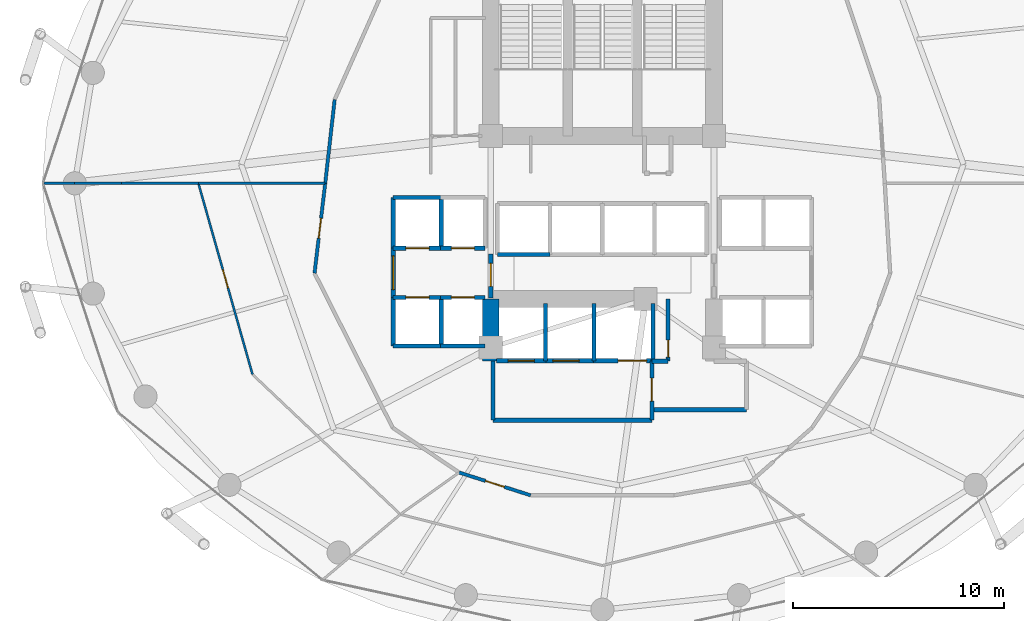
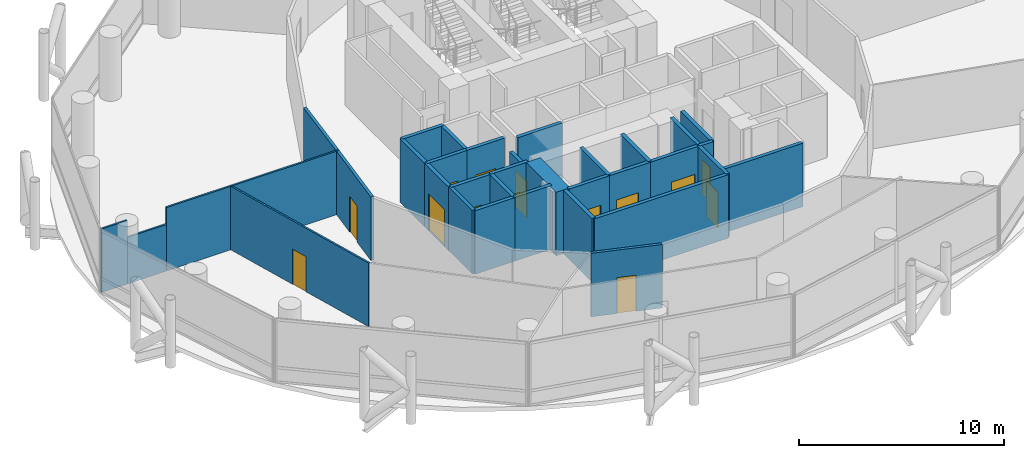
# One storey, part 21 of 24: 35 walls, 14 doors, 14 openings.
"""IFC4 building model written with IfcOpenShell, lengths in metres."""

from ifc_helpers import new_model, si_unit, direction, frame, frame_2d, origin, place, context, subcontext, project, spatial, rectangle, extrude, material, layer, layer_set, type_object, element, fill, save


model = new_model("IFC4")

# Units and contexts
model_context = context("Model", 3, precision=1e-05, world=origin(), true_north=direction((0.0, 1.0)))
body_context = subcontext(model_context, "Body", "Model", "MODEL_VIEW")
ifc_project = project(units=[si_unit("LENGTHUNIT", "METRE"), si_unit("AREAUNIT", "SQUARE_METRE"), si_unit("VOLUMEUNIT", "CUBIC_METRE"), si_unit("PLANEANGLEUNIT", "RADIAN"), si_unit("MASSUNIT", "GRAM", prefix="KILO")], contexts=[model_context])

# Site, building, storey
site_placement = place(None, origin())
site = spatial("IfcSite", under=ifc_project, at=site_placement, CompositionType="ELEMENT")
building_placement = place(site_placement, origin())
building = spatial("IfcBuilding", under=site, at=building_placement, Name="Nuhasar Tower", CompositionType="ELEMENT")
storey_placement = place(building_placement, frame((0.0, 0.0, 33.14990234375)))
storey = spatial("IfcBuildingStorey", under=building, at=storey_placement, Name="L07", CompositionType="ELEMENT", Elevation=33.14990234375)

# Walls
ifc_material_1 = material(Name="Concrete C80/95", Category="concrete")
ifc_layer_1 = layer(ifc_material_1, 0.800048828125)
ifc_layer_set_1 = layer_set([ifc_layer_1], Name="Concrete C80/95")
wall_type_1 = type_object("IfcWallType", Name="WL-CORE-800", PredefinedType="SHEAR", material=ifc_layer_set_1)
wall_1_placement = place(storey_placement, frame((33.699951171875, 18.35009765625, 0.0), z_axis=(0.0, 0.0, 1.0), x_axis=(0.0, 1.0, 0.0)))
element("IfcWall", 1, at=wall_1_placement, inside=storey, type_object=wall_type_1, Name="L07 Core Shear Wall CW-SW CW-800", PredefinedType="SHEAR", context=body_context, shape_type="SweptSolid", body=[
    extrude(rectangle(XDim=2.949951171875, YDim=0.800048828125, at=frame_2d((1.47509765625, 0.0))), origin(), (0.0, 0.0, 1.0), 3.7900390625),
])
ifc_material_2 = material(Name="Gypsum Board", Category="gypsum")
ifc_layer_2 = layer(ifc_material_2, 0.159912109375)
ifc_layer_set_2 = layer_set([ifc_layer_2], Name="Gypsum Board")
wall_type_2 = type_object("IfcWallType", Name="WL-CORR-160", PredefinedType="PARTITIONING", material=ifc_layer_set_2)
wall_2_placement = place(storey_placement, frame((26.2880859375, 30.77001953125, 0.0), z_axis=(0.0, 0.0, 1.0), x_axis=(-0.112134962735, -0.993692985852, 0.0)))
element("IfcWall", 2, at=wall_2_placement, inside=storey, type_object=wall_type_2, Name="L07 Interior Partition CORR-22", PredefinedType="PARTITIONING", context=body_context, shape_type="SweptSolid", body=[
    extrude(rectangle(XDim=3.9951171875, YDim=0.159912109375, at=frame_2d((1.99755859375, 0.0))), origin(), (0.0, 0.0, 1.0), 3.7900390625),
])

# Wall, opening, door
wall_3_placement = place(storey_placement, frame((25.3330078125, 22.531982421875, 0.0), z_axis=(0.0, 0.0, 1.0), x_axis=(0.117978184462, 0.993016187175, 0.0)))
wall_3 = element("IfcWall", 3, at=wall_3_placement, inside=storey, type_object=wall_type_2, Name="L07 Interior Partition CORR-24", PredefinedType="PARTITIONING", context=body_context, shape_type="SweptSolid", body=[
    extrude(rectangle(XDim=4.298095703125, YDim=0.159912109375, at=frame_2d((2.14892578125, 0.0))), origin(), (0.0, 0.0, 1.0), 3.7900390625),
])
opening_1_placement = place(wall_3_placement, frame((1.674072265625, 0.0, 0.0)))
opening_1 = element("IfcOpeningElement", 4, at=opening_1_placement, cuts=wall_3, Name="Opening DO-01", PredefinedType="OPENING", context=body_context, shape_type="SweptSolid", body=[
    extrude(rectangle(XDim=0.949951171875, YDim=2.14990234375, at=frame_2d((0.47509765625, 1.074951171875))), frame((0.0, 0.08984375, 0.0), z_axis=(0.0, -1.0, 0.0), x_axis=(1.0, 0.0, 0.0)), (0.0, 0.0, 1.0), 0.179931640625),
])
ifc_material_3 = material(Name="Timber Oak", Category="wood")
door_type_1 = type_object("IfcDoorType", Name="DR-OFFICE-FD30-950", OperationType="NOTDEFINED", PredefinedType="DOOR", material=ifc_material_3)
door_1_placement = place(opening_1_placement, origin())
door_1 = element("IfcDoor", 5, at=door_1_placement, inside=storey, type_object=door_type_1, Name="L07 South-West Executive Partners Office Entry Door", OperationType="SINGLE_SWING_LEFT", OverallHeight=2.14990234375, OverallWidth=0.949951171875, PredefinedType="DOOR", context=body_context, shape_type="SweptSolid", body=[
    extrude(rectangle(XDim=0.949951171875, YDim=2.14990234375, at=frame_2d((0.47509765625, 1.074951171875))), frame((0.0, 0.02490234375, 0.0), z_axis=(0.0, -1.0, 0.0), x_axis=(1.0, 0.0, 0.0)), (0.0, 0.0, 1.0), 0.050048828125),
])
fill(opening_1, door_1)

wall_4_placement = place(storey_placement, frame((35.593994140625, 11.98291015625, 0.0), z_axis=(0.0, 0.0, 1.0), x_axis=(-0.952646548559, 0.304079847275, 0.0)))
wall_4 = element("IfcWall", 6, at=wall_4_placement, inside=storey, type_object=wall_type_2, Name="L07 Interior Partition CORR-32", PredefinedType="PARTITIONING", context=body_context, shape_type="SweptSolid", body=[
    extrude(rectangle(XDim=3.564697265625, YDim=0.159912109375, at=frame_2d((1.7822265625, 0.0))), origin(), (0.0, 0.0, 1.0), 3.7900390625),
])
opening_2_placement = place(wall_4_placement, frame((1.306884765625, 0.0, 0.0)))
opening_2 = element("IfcOpeningElement", 7, at=opening_2_placement, cuts=wall_4, Name="Opening DO-01", PredefinedType="OPENING", context=body_context, shape_type="SweptSolid", body=[
    extrude(rectangle(XDim=0.949951171875, YDim=2.14990234375, at=frame_2d((0.47509765625, 1.074951171875))), frame((0.0, 0.08984375, 0.0), z_axis=(0.0, -1.0, 0.0), x_axis=(1.0, 0.0, 0.0)), (0.0, 0.0, 1.0), 0.179931640625),
])
door_2_placement = place(opening_2_placement, origin())
door_2 = element("IfcDoor", 8, at=door_2_placement, inside=storey, type_object=door_type_1, Name="L07 South-Central Advisory Office Entry Door", OperationType="SINGLE_SWING_RIGHT", OverallHeight=2.14990234375, OverallWidth=0.949951171875, PredefinedType="DOOR", context=body_context, shape_type="SweptSolid", body=[
    extrude(rectangle(XDim=0.949951171875, YDim=2.14990234375, at=frame_2d((0.47509765625, 1.074951171875))), frame((0.0, 0.02490234375, 0.0), z_axis=(0.0, -1.0, 0.0), x_axis=(1.0, 0.0, 0.0)), (0.0, 0.0, 1.0), 0.050048828125),
])
fill(opening_2, door_2)

ifc_material_4 = material(Name="Concrete C45/55", Category="concrete")
ifc_layer_3 = layer(ifc_material_4, 0.199951171875)
ifc_layer_set_3 = layer_set([ifc_layer_3], Name="Concrete C45/55")
wall_type_3 = type_object("IfcWallType", Name="WL-LOBBY-200", PredefinedType="SOLIDWALL", material=ifc_layer_set_3)
wall_5_placement = place(storey_placement, frame((29.070068359375, 21.3798828125, 0.0), z_axis=(0.0, 0.0, 1.0), x_axis=(0.0, 1.0, 0.0)))
wall_5 = element("IfcWall", 9, at=wall_5_placement, inside=storey, type_object=wall_type_3, Name="L07 Interior Partition LLBL-W", PredefinedType="SOLIDWALL", context=body_context, shape_type="SweptSolid", body=[
    extrude(rectangle(XDim=2.340087890625, YDim=0.199951171875, at=frame_2d((1.169921875, 0.0))), origin(), (0.0, 0.0, 1.0), 3.7900390625),
])
opening_3_placement = place(wall_5_placement, frame((0.3701171875, 0.0, 0.0)))
opening_3 = element("IfcOpeningElement", 10, at=opening_3_placement, cuts=wall_5, Name="Opening DC-01", PredefinedType="OPENING", context=body_context, shape_type="SweptSolid", body=[
    extrude(rectangle(XDim=1.60009765625, YDim=2.199951171875, at=frame_2d((0.800048828125, 1.10009765625))), frame((0.0, 0.10986328125, 0.0), z_axis=(0.0, -1.0, 0.0), x_axis=(1.0, 0.0, 0.0)), (0.0, 0.0, 1.0), 0.219970703125),
])
ifc_material_5 = material(Name="Steel S355", Category="steel")
door_type_2 = type_object("IfcDoorType", Name="DR-CORR-FD60-1600", OperationType="DOUBLE_DOOR_SINGLE_SWING", PredefinedType="DOOR", material=ifc_material_5)
door_3_placement = place(opening_3_placement, origin())
door_3 = element("IfcDoor", 11, at=door_3_placement, inside=storey, type_object=door_type_2, Name="L07 Low-Rise Lift Lobby West Entry", OperationType="DOUBLE_DOOR_SINGLE_SWING", OverallHeight=2.199951171875, OverallWidth=1.60009765625, PredefinedType="DOOR", context=body_context, shape_type="SweptSolid", body=[
    extrude(rectangle(XDim=1.60009765625, YDim=2.199951171875, at=frame_2d((0.800048828125, 1.10009765625))), frame((0.0, 0.02490234375, 0.0), z_axis=(0.0, -1.0, 0.0), x_axis=(1.0, 0.0, 0.0)), (0.0, 0.0, 1.0), 0.050048828125),
])
fill(opening_3, door_3)

wall_6_placement = place(storey_placement, frame((33.699951171875, 21.35009765625, 0.0), z_axis=(0.0, 0.0, 1.0), x_axis=(0.0, 1.0, 0.0)))
wall_6 = element("IfcWall", 12, at=wall_6_placement, inside=storey, type_object=wall_type_3, Name="L07 Interior Partition LLBH-W", PredefinedType="SOLIDWALL", context=body_context, shape_type="SweptSolid", body=[
    extrude(rectangle(XDim=2.099853515625, YDim=0.199951171875, at=frame_2d((1.0498046875, 0.0))), origin(), (0.0, 0.0, 1.0), 3.010009765625),
])
opening_4_placement = place(wall_6_placement, frame((0.550048828125, 0.0, 0.0)))
opening_4 = element("IfcOpeningElement", 13, at=opening_4_placement, cuts=wall_6, Name="Opening DS-02", PredefinedType="OPENING", context=body_context, shape_type="SweptSolid", body=[
    extrude(rectangle(XDim=1.10009765625, YDim=2.14990234375, at=frame_2d((0.550048828125, 1.074951171875))), frame((0.0, 0.10986328125, 0.0), z_axis=(0.0, -1.0, 0.0), x_axis=(1.0, 0.0, 0.0)), (0.0, 0.0, 1.0), 0.219970703125),
])
door_type_3 = type_object("IfcDoorType", Name="DR-FFL-FD120-1100", OperationType="NOTDEFINED", PredefinedType="DOOR", material=ifc_material_5)
door_4_placement = place(opening_4_placement, origin())
door_4 = element("IfcDoor", 14, at=door_4_placement, inside=storey, type_object=door_type_3, Name="L07 High-Rise Lobby West Door", OperationType="SINGLE_SWING_RIGHT", OverallHeight=2.14990234375, OverallWidth=1.10009765625, PredefinedType="DOOR", context=body_context, shape_type="SweptSolid", body=[
    extrude(rectangle(XDim=1.10009765625, YDim=2.14990234375, at=frame_2d((0.550048828125, 1.074951171875))), frame((0.0, 0.02490234375, 0.0), z_axis=(0.0, -1.0, 0.0), x_axis=(1.0, 0.0, 0.0)), (0.0, 0.0, 1.0), 0.050048828125),
])
fill(opening_4, door_4)

# Walls
wall_7_placement = place(storey_placement, frame((33.800048828125, 15.550048828125, 0.0), z_axis=(0.0, 0.0, 1.0), x_axis=(1.0, 0.0, 0.0)))
element("IfcWall", 15, at=wall_7_placement, inside=storey, type_object=wall_type_3, Name="L07 Interior Partition FFL-S", PredefinedType="SOLIDWALL", context=body_context, shape_type="SweptSolid", body=[
    extrude(rectangle(XDim=7.550048828125, YDim=0.199951171875, at=frame_2d((3.77490234375, 0.0))), origin(), (0.0, 0.0, 1.0), 3.7900390625),
])
wall_8_placement = place(storey_placement, frame((33.800048828125, 15.550048828125, 0.0), z_axis=(0.0, 0.0, 1.0), x_axis=(0.0, 1.0, 0.0)))
element("IfcWall", 16, at=wall_8_placement, inside=storey, type_object=wall_type_3, Name="L07 Interior Partition FFL-W", PredefinedType="SOLIDWALL", context=body_context, shape_type="SweptSolid", body=[
    extrude(rectangle(XDim=2.800048828125, YDim=0.199951171875, at=frame_2d((1.39990234375, 0.0))), origin(), (0.0, 0.0, 1.0), 3.7900390625),
])

# Wall, opening, door
wall_9_placement = place(storey_placement, frame((41.35009765625, 15.550048828125, 0.0), z_axis=(0.0, 0.0, 1.0), x_axis=(0.0, 1.0, 0.0)))
wall_9 = element("IfcWall", 17, at=wall_9_placement, inside=storey, type_object=wall_type_3, Name="L07 Interior Partition FFL-E", PredefinedType="SOLIDWALL", context=body_context, shape_type="SweptSolid", body=[
    extrude(rectangle(XDim=2.800048828125, YDim=0.199951171875, at=frame_2d((1.39990234375, 0.0))), origin(), (0.0, 0.0, 1.0), 3.7900390625),
])
opening_5_placement = place(wall_9_placement, frame((0.89990234375, 0.0, 0.0)))
opening_5 = element("IfcOpeningElement", 18, at=opening_5_placement, cuts=wall_9, Name="Opening DS-02", PredefinedType="OPENING", context=body_context, shape_type="SweptSolid", body=[
    extrude(rectangle(XDim=1.10009765625, YDim=2.14990234375, at=frame_2d((0.550048828125, 1.074951171875))), frame((0.0, 0.10986328125, 0.0), z_axis=(0.0, -1.0, 0.0), x_axis=(1.0, 0.0, 0.0)), (0.0, 0.0, 1.0), 0.219970703125),
])
door_5_placement = place(opening_5_placement, origin())
door_5 = element("IfcDoor", 19, at=door_5_placement, inside=storey, type_object=door_type_3, Name="L07 Firefighting Lobby Door", OperationType="SINGLE_SWING_RIGHT", OverallHeight=2.14990234375, OverallWidth=1.10009765625, PredefinedType="DOOR", context=body_context, shape_type="SweptSolid", body=[
    extrude(rectangle(XDim=1.10009765625, YDim=2.14990234375, at=frame_2d((0.550048828125, 1.074951171875))), frame((0.0, 0.02490234375, 0.0), z_axis=(0.0, -1.0, 0.0), x_axis=(1.0, 0.0, 0.0)), (0.0, 0.0, 1.0), 0.050048828125),
])
fill(opening_5, door_5)

# Walls
wall_10_placement = place(storey_placement, frame((41.35009765625, 16.050048828125, 0.0), z_axis=(0.0, 0.0, 1.0), x_axis=(1.0, 0.0, 0.0)))
element("IfcWall", 20, at=wall_10_placement, inside=storey, type_object=wall_type_3, Name="L07 Interior Partition SVLV-S", PredefinedType="SOLIDWALL", context=body_context, shape_type="SweptSolid", body=[
    extrude(rectangle(XDim=4.5, YDim=0.199951171875, at=frame_2d((2.25, 0.0))), origin(), (0.0, 0.0, 1.0), 3.7900390625),
])
ifc_material_6 = material(Name="Aluminium 6063-T6", Category="aluminium")
ifc_layer_4 = layer(ifc_material_6, 0.10009765625)
ifc_layer_set_4 = layer_set([ifc_layer_4], Name="Aluminium 6063-T6")
wall_type_4 = type_object("IfcWallType", Name="WL-MOVABLE-100", PredefinedType="MOVABLE", material=ifc_layer_set_4)
wall_11_placement = place(storey_placement, frame((25.840087890625, 26.800048828125, 0.0), z_axis=(0.0, 0.0, 1.0), x_axis=(-1.0, 0.0, 0.0)))
element("IfcWall", 21, at=wall_11_placement, inside=storey, type_object=wall_type_4, Name="L07 Interior Partition ORAD-24-S1", PredefinedType="MOVABLE", context=body_context, shape_type="SweptSolid", body=[
    extrude(rectangle(XDim=6.023193359375, YDim=0.10009765625, at=frame_2d((3.01171875, 0.0))), origin(), (0.0, 0.0, 1.0), 3.7900390625),
])
wall_12_placement = place(storey_placement, frame((19.81689453125, 26.800048828125, 0.0), z_axis=(0.0, 0.0, 1.0), x_axis=(-1.0, 0.0, 0.0)))
element("IfcWall", 22, at=wall_12_placement, inside=storey, type_object=wall_type_4, Name="L07 Interior Partition ORAD-24-S2", PredefinedType="MOVABLE", context=body_context, shape_type="SweptSolid", body=[
    extrude(rectangle(XDim=3.656982421875, YDim=0.10009765625, at=frame_2d((1.82861328125, 0.0))), origin(), (0.0, 0.0, 1.0), 3.7900390625),
])
wall_13_placement = place(storey_placement, frame((16.159912109375, 26.800048828125, 0.0), z_axis=(0.0, 0.0, 1.0), x_axis=(-1.0, 0.0, 0.0)))
element("IfcWall", 23, at=wall_13_placement, inside=storey, type_object=wall_type_4, Name="L07 Interior Partition ORAD-24-S2", PredefinedType="MOVABLE", context=body_context, shape_type="SweptSolid", body=[
    extrude(rectangle(XDim=2.2158203125, YDim=0.10009765625, at=frame_2d((1.10791015625, 0.0))), origin(), (0.0, 0.0, 1.0), 2.780029296875),
])
wall_14_placement = place(storey_placement, frame((13.944091796875, 26.800048828125, 0.0), z_axis=(0.0, 0.0, 1.0), x_axis=(-1.0, 0.0, 0.0)))
element("IfcWall", 24, at=wall_14_placement, inside=storey, type_object=wall_type_4, Name="L07 Interior Partition ORAD-24-S2", PredefinedType="MOVABLE", context=body_context, shape_type="SweptSolid", body=[
    extrude(rectangle(XDim=1.468994140625, YDim=0.10009765625, at=frame_2d((0.734375, 0.0))), origin(), (0.0, 0.0, 1.0), 3.7900390625),
])

# Wall, opening, door
wall_15_placement = place(storey_placement, frame((22.386962890625, 17.72412109375, 0.0), z_axis=(0.0, 0.0, 1.0), x_axis=(-0.272460813616, 0.962166880039, 0.0)))
wall_15 = element("IfcWall", 25, at=wall_15_placement, inside=storey, type_object=wall_type_4, Name="L07 Interior Partition OMID-03-24", PredefinedType="MOVABLE", context=body_context, shape_type="SweptSolid", body=[
    extrude(rectangle(XDim=9.432861328125, YDim=0.10009765625, at=frame_2d((4.71630859375, 0.0))), origin(), (0.0, 0.0, 1.0), 3.7900390625),
])
opening_6_placement = place(wall_15_placement, frame((4.26611328125, 0.0, 0.0)))
opening_6 = element("IfcOpeningElement", 26, at=opening_6_placement, cuts=wall_15, Name="Opening DR-01", PredefinedType="OPENING", context=body_context, shape_type="SweptSolid", body=[
    extrude(rectangle(XDim=0.89990234375, YDim=2.10009765625, at=frame_2d((0.449951171875, 1.050048828125))), frame((0.0, 0.06005859375, 0.0), z_axis=(0.0, -1.0, 0.0), x_axis=(1.0, 0.0, 0.0)), (0.0, 0.0, 1.0), 0.1201171875),
])
door_type_4 = type_object("IfcDoorType", Name="DR-ROOM-900", OperationType="NOTDEFINED", PredefinedType="DOOR", material=ifc_material_3)
door_6_placement = place(opening_6_placement, origin())
door_6 = element("IfcDoor", 27, at=door_6_placement, inside=storey, type_object=door_type_4, Name="L07 South-West Executive Partners Office Inner Door", OperationType="SINGLE_SWING_LEFT", OverallHeight=2.10009765625, OverallWidth=0.89990234375, PredefinedType="DOOR", context=body_context, shape_type="SweptSolid", body=[
    extrude(rectangle(XDim=0.89990234375, YDim=2.10009765625, at=frame_2d((0.449951171875, 1.050048828125))), frame((0.0, 0.02490234375, 0.0), z_axis=(0.0, -1.0, 0.0), x_axis=(1.0, 0.0, 0.0)), (0.0, 0.0, 1.0), 0.050048828125),
])
fill(opening_6, door_6)

ifc_layer_5 = layer(ifc_material_4, 0.199951171875)
ifc_layer_set_5 = layer_set([ifc_layer_5], Name="Concrete C45/55")
wall_type_5 = type_object("IfcWallType", Name="WL-SHAFT-200", PredefinedType="SOLIDWALL", material=ifc_layer_set_5)
wall_16_placement = place(storey_placement, frame((29.070068359375, 23.719970703125, 0.0), z_axis=(0.0, 0.0, 1.0), x_axis=(1.0, 0.0, 0.0)))
wall_16 = element("IfcWall", 28, at=wall_16_placement, inside=storey, type_object=wall_type_5, Name="L07 Interior Partition SHF-PL-L01-S", PredefinedType="SOLIDWALL", context=body_context, shape_type="SweptSolid", body=[
    extrude(rectangle(XDim=2.309814453125, YDim=0.199951171875, at=frame_2d((1.15478515625, 0.0))), origin(), (0.0, 0.0, 1.0), 3.7900390625),
])
opening_7_placement = place(wall_16_placement, frame((0.60498046875, 0.0, 0.0)))
opening_7 = element("IfcOpeningElement", 29, at=opening_7_placement, cuts=wall_16, Name="Opening LD-L01", PredefinedType="OPENING", context=body_context, shape_type="SweptSolid", body=[
    extrude(rectangle(XDim=1.10009765625, YDim=2.14990234375, at=frame_2d((0.550048828125, 1.074951171875))), frame((0.0, 0.10986328125, 0.0), z_axis=(0.0, -1.0, 0.0), x_axis=(1.0, 0.0, 0.0)), (0.0, 0.0, 1.0), 0.219970703125),
])
ifc_material_7 = material(Name="Stainless Steel 316L", Category="steel")
door_type_5 = type_object("IfcDoorType", Name="LD-PAX-1100", OperationType="DOUBLE_DOOR_SLIDING", PredefinedType="DOOR", material=ifc_material_7)
door_7_placement = place(opening_7_placement, origin())
door_7 = element("IfcDoor", 30, at=door_7_placement, inside=storey, type_object=door_type_5, Name="L07 Lift Landing Door PL-L01", OperationType="DOUBLE_DOOR_SLIDING", OverallHeight=2.14990234375, OverallWidth=1.10009765625, PredefinedType="DOOR", context=body_context, shape_type="SweptSolid", body=[
    extrude(rectangle(XDim=1.10009765625, YDim=2.14990234375, at=frame_2d((0.550048828125, 1.074951171875))), frame((0.0, 0.02490234375, 0.0), z_axis=(0.0, -1.0, 0.0), x_axis=(1.0, 0.0, 0.0)), (0.0, 0.0, 1.0), 0.050048828125),
])
fill(opening_7, door_7)

# Walls
wall_17_placement = place(storey_placement, frame((29.070068359375, 26.1298828125, 0.0), z_axis=(0.0, 0.0, 1.0), x_axis=(1.0, 0.0, 0.0)))
element("IfcWall", 31, at=wall_17_placement, inside=storey, type_object=wall_type_5, Name="L07 Interior Partition SHF-PL-L01-N", PredefinedType="SOLIDWALL", context=body_context, shape_type="SweptSolid", body=[
    extrude(rectangle(XDim=2.309814453125, YDim=0.199951171875, at=frame_2d((1.15478515625, 0.0))), origin(), (0.0, 0.0, 1.0), 3.7900390625),
])
for number, where, z_axis, x_axis, name in (
    (32, (29.070068359375, 23.719970703125, 0.0), (0.0, 0.0, 1.0), (0.0, 1.0, 0.0), "L07 Interior Partition SHF-PL-L01-W"),
    (33, (31.35009765625, 23.719970703125, 0.0), (0.0, 0.0, 1.0), (0.0, 1.0, 0.0), "L07 Interior Partition SHF-PL-L01-E"),
):
    element("IfcWall", number, at=place(storey_placement, frame(where, z_axis=z_axis, x_axis=x_axis)), inside=storey, type_object=wall_type_5, Name=name, PredefinedType="SOLIDWALL", context=body_context, shape_type="SweptSolid", body=[
        extrude(rectangle(XDim=2.409912109375, YDim=0.199951171875, at=frame_2d((1.205078125, 0.0))), origin(), (0.0, 0.0, 1.0), 3.7900390625),
    ])

# Wall, opening, door
wall_18_placement = place(storey_placement, frame((31.320068359375, 23.719970703125, 0.0), z_axis=(0.0, 0.0, 1.0), x_axis=(1.0, 0.0, 0.0)))
wall_18 = element("IfcWall", 34, at=wall_18_placement, inside=storey, type_object=wall_type_5, Name="L07 Interior Partition SHF-PL-L02-S", PredefinedType="SOLIDWALL", context=body_context, shape_type="SweptSolid", body=[
    extrude(rectangle(XDim=2.10986328125, YDim=0.199951171875, at=frame_2d((1.054931640625, 0.0))), origin(), (0.0, 0.0, 1.0), 3.7900390625),
])
opening_8_placement = place(wall_18_placement, frame((0.5048828125, 0.0, 0.0)))
opening_8 = element("IfcOpeningElement", 35, at=opening_8_placement, cuts=wall_18, Name="Opening LD-L02", PredefinedType="OPENING", context=body_context, shape_type="SweptSolid", body=[
    extrude(rectangle(XDim=1.10009765625, YDim=2.14990234375, at=frame_2d((0.550048828125, 1.074951171875))), frame((0.0, 0.10986328125, 0.0), z_axis=(0.0, -1.0, 0.0), x_axis=(1.0, 0.0, 0.0)), (0.0, 0.0, 1.0), 0.219970703125),
])
door_8_placement = place(opening_8_placement, origin())
door_8 = element("IfcDoor", 36, at=door_8_placement, inside=storey, type_object=door_type_5, Name="L07 Lift Landing Door PL-L02", OperationType="DOUBLE_DOOR_SLIDING", OverallHeight=2.14990234375, OverallWidth=1.10009765625, PredefinedType="DOOR", context=body_context, shape_type="SweptSolid", body=[
    extrude(rectangle(XDim=1.10009765625, YDim=2.14990234375, at=frame_2d((0.550048828125, 1.074951171875))), frame((0.0, 0.02490234375, 0.0), z_axis=(0.0, -1.0, 0.0), x_axis=(1.0, 0.0, 0.0)), (0.0, 0.0, 1.0), 0.050048828125),
])
fill(opening_8, door_8)

# Wall
wall_19_placement = place(storey_placement, frame((29.070068359375, 19.070068359375, 0.0), z_axis=(0.0, 0.0, 1.0), x_axis=(1.0, 0.0, 0.0)))
element("IfcWall", 37, at=wall_19_placement, inside=storey, type_object=wall_type_5, Name="L07 Interior Partition SHF-PL-L03-S", PredefinedType="SOLIDWALL", context=body_context, shape_type="SweptSolid", body=[
    extrude(rectangle(XDim=2.309814453125, YDim=0.199951171875, at=frame_2d((1.15478515625, 0.0))), origin(), (0.0, 0.0, 1.0), 3.7900390625),
])

# Wall, opening, door
wall_20_placement = place(storey_placement, frame((29.070068359375, 21.3798828125, 0.0), z_axis=(0.0, 0.0, 1.0), x_axis=(1.0, 0.0, 0.0)))
wall_20 = element("IfcWall", 38, at=wall_20_placement, inside=storey, type_object=wall_type_5, Name="L07 Interior Partition SHF-PL-L03-N", PredefinedType="SOLIDWALL", context=body_context, shape_type="SweptSolid", body=[
    extrude(rectangle(XDim=2.309814453125, YDim=0.199951171875, at=frame_2d((1.15478515625, 0.0))), origin(), (0.0, 0.0, 1.0), 3.7900390625),
])
opening_9_placement = place(wall_20_placement, frame((0.60498046875, 0.0, 0.0)))
opening_9 = element("IfcOpeningElement", 39, at=opening_9_placement, cuts=wall_20, Name="Opening LD-L03", PredefinedType="OPENING", context=body_context, shape_type="SweptSolid", body=[
    extrude(rectangle(XDim=1.10009765625, YDim=2.14990234375, at=frame_2d((0.550048828125, 1.074951171875))), frame((0.0, 0.10986328125, 0.0), z_axis=(0.0, -1.0, 0.0), x_axis=(1.0, 0.0, 0.0)), (0.0, 0.0, 1.0), 0.219970703125),
])
door_9_placement = place(opening_9_placement, origin())
door_9 = element("IfcDoor", 40, at=door_9_placement, inside=storey, type_object=door_type_5, Name="L07 Lift Landing Door PL-L03", OperationType="DOUBLE_DOOR_SLIDING", OverallHeight=2.14990234375, OverallWidth=1.10009765625, PredefinedType="DOOR", context=body_context, shape_type="SweptSolid", body=[
    extrude(rectangle(XDim=1.10009765625, YDim=2.14990234375, at=frame_2d((0.550048828125, 1.074951171875))), frame((0.0, 0.02490234375, 0.0), z_axis=(0.0, -1.0, 0.0), x_axis=(1.0, 0.0, 0.0)), (0.0, 0.0, 1.0), 0.050048828125),
])
fill(opening_9, door_9)

# Walls
for number, where, z_axis, x_axis, name in (
    (41, (29.070068359375, 19.070068359375, 0.0), (0.0, 0.0, 1.0), (0.0, 1.0, 0.0), "L07 Interior Partition SHF-PL-L03-W"),
    (42, (31.35009765625, 19.070068359375, 0.0), (0.0, 0.0, 1.0), (0.0, 1.0, 0.0), "L07 Interior Partition SHF-PL-L03-E"),
):
    element("IfcWall", number, at=place(storey_placement, frame(where, z_axis=z_axis, x_axis=x_axis)), inside=storey, type_object=wall_type_5, Name=name, PredefinedType="SOLIDWALL", context=body_context, shape_type="SweptSolid", body=[
        extrude(rectangle(XDim=2.309814453125, YDim=0.199951171875, at=frame_2d((1.15478515625, 0.0))), origin(), (0.0, 0.0, 1.0), 3.7900390625),
    ])
wall_21_placement = place(storey_placement, frame((31.320068359375, 19.070068359375, 0.0), z_axis=(0.0, 0.0, 1.0), x_axis=(1.0, 0.0, 0.0)))
element("IfcWall", 43, at=wall_21_placement, inside=storey, type_object=wall_type_5, Name="L07 Interior Partition SHF-PL-L04-S", PredefinedType="SOLIDWALL", context=body_context, shape_type="SweptSolid", body=[
    extrude(rectangle(XDim=2.10986328125, YDim=0.199951171875, at=frame_2d((1.054931640625, 0.0))), origin(), (0.0, 0.0, 1.0), 3.7900390625),
])

# Wall, opening, door
wall_22_placement = place(storey_placement, frame((31.320068359375, 21.3798828125, 0.0), z_axis=(0.0, 0.0, 1.0), x_axis=(1.0, 0.0, 0.0)))
wall_22 = element("IfcWall", 44, at=wall_22_placement, inside=storey, type_object=wall_type_5, Name="L07 Interior Partition SHF-PL-L04-N", PredefinedType="SOLIDWALL", context=body_context, shape_type="SweptSolid", body=[
    extrude(rectangle(XDim=2.10986328125, YDim=0.199951171875, at=frame_2d((1.054931640625, 0.0))), origin(), (0.0, 0.0, 1.0), 3.7900390625),
])
opening_10_placement = place(wall_22_placement, frame((0.5048828125, 0.0, 0.0)))
opening_10 = element("IfcOpeningElement", 45, at=opening_10_placement, cuts=wall_22, Name="Opening LD-L04", PredefinedType="OPENING", context=body_context, shape_type="SweptSolid", body=[
    extrude(rectangle(XDim=1.10009765625, YDim=2.14990234375, at=frame_2d((0.550048828125, 1.074951171875))), frame((0.0, 0.10986328125, 0.0), z_axis=(0.0, -1.0, 0.0), x_axis=(1.0, 0.0, 0.0)), (0.0, 0.0, 1.0), 0.219970703125),
])
door_10_placement = place(opening_10_placement, origin())
door_10 = element("IfcDoor", 46, at=door_10_placement, inside=storey, type_object=door_type_5, Name="L07 Lift Landing Door PL-L04", OperationType="DOUBLE_DOOR_SLIDING", OverallHeight=2.14990234375, OverallWidth=1.10009765625, PredefinedType="DOOR", context=body_context, shape_type="SweptSolid", body=[
    extrude(rectangle(XDim=1.10009765625, YDim=2.14990234375, at=frame_2d((0.550048828125, 1.074951171875))), frame((0.0, 0.02490234375, 0.0), z_axis=(0.0, -1.0, 0.0), x_axis=(1.0, 0.0, 0.0)), (0.0, 0.0, 1.0), 0.050048828125),
])
fill(opening_10, door_10)

# Wall
wall_23_placement = place(storey_placement, frame((34.02001953125, 23.419921875, 0.0), z_axis=(0.0, 0.0, 1.0), x_axis=(1.0, 0.0, 0.0)))
element("IfcWall", 47, at=wall_23_placement, inside=storey, type_object=wall_type_5, Name="L07 Interior Partition SHF-PL-H01-S", PredefinedType="SOLIDWALL", context=body_context, shape_type="SweptSolid", body=[
    extrude(rectangle(XDim=2.5, YDim=0.199951171875, at=frame_2d((1.25, 0.0))), origin(), (0.0, 0.0, 1.0), 3.7900390625),
])

# Wall, opening, door
wall_24_placement = place(storey_placement, frame((33.969970703125, 18.3701171875, 0.0), z_axis=(0.0, 0.0, 1.0), x_axis=(1.0, 0.0, 0.0)))
wall_24 = element("IfcWall", 48, at=wall_24_placement, inside=storey, type_object=wall_type_5, Name="L07 Interior Partition SHF-FFL-01-S", PredefinedType="SOLIDWALL", context=body_context, shape_type="SweptSolid", body=[
    extrude(rectangle(XDim=2.360107421875, YDim=0.199951171875, at=frame_2d((1.18017578125, 0.0))), origin(), (0.0, 0.0, 1.0), 3.7900390625),
])
opening_11_placement = place(wall_24_placement, frame((0.554931640625, 0.0, 0.0)))
opening_11 = element("IfcOpeningElement", 49, at=opening_11_placement, cuts=wall_24, Name="Opening LD-F01", PredefinedType="OPENING", context=body_context, shape_type="SweptSolid", body=[
    extrude(rectangle(XDim=1.25, YDim=2.199951171875, at=frame_2d((0.625, 1.10009765625))), frame((0.0, 0.10986328125, 0.0), z_axis=(0.0, -1.0, 0.0), x_axis=(1.0, 0.0, 0.0)), (0.0, 0.0, 1.0), 0.219970703125),
])
door_type_6 = type_object("IfcDoorType", Name="LD-FFL-1250", OperationType="DOUBLE_DOOR_SLIDING", PredefinedType="DOOR", material=ifc_material_7)
door_11_placement = place(opening_11_placement, origin())
door_11 = element("IfcDoor", 50, at=door_11_placement, inside=storey, type_object=door_type_6, Name="L07 Lift Landing Door FFL-01", OperationType="DOUBLE_DOOR_SLIDING", OverallHeight=2.199951171875, OverallWidth=1.25, PredefinedType="DOOR", context=body_context, shape_type="SweptSolid", body=[
    extrude(rectangle(XDim=1.25, YDim=2.199951171875, at=frame_2d((0.625, 1.10009765625))), frame((0.0, 0.02490234375, 0.0), z_axis=(0.0, -1.0, 0.0), x_axis=(1.0, 0.0, 0.0)), (0.0, 0.0, 1.0), 0.050048828125),
])
fill(opening_11, door_11)

# Wall
wall_25_placement = place(storey_placement, frame((36.300048828125, 18.3701171875, 0.0), z_axis=(0.0, 0.0, 1.0), x_axis=(0.0, 1.0, 0.0)))
element("IfcWall", 51, at=wall_25_placement, inside=storey, type_object=wall_type_5, Name="L07 Interior Partition SHF-FFL-01-E", PredefinedType="SOLIDWALL", context=body_context, shape_type="SweptSolid", body=[
    extrude(rectangle(XDim=2.7099609375, YDim=0.199951171875, at=frame_2d((1.35498046875, 0.0))), origin(), (0.0, 0.0, 1.0), 3.7900390625),
])

# Wall, opening, door
wall_26_placement = place(storey_placement, frame((36.27001953125, 18.3701171875, 0.0), z_axis=(0.0, 0.0, 1.0), x_axis=(1.0, 0.0, 0.0)))
wall_26 = element("IfcWall", 52, at=wall_26_placement, inside=storey, type_object=wall_type_5, Name="L07 Interior Partition SHF-FFL-02-S", PredefinedType="SOLIDWALL", context=body_context, shape_type="SweptSolid", body=[
    extrude(rectangle(XDim=2.35986328125, YDim=0.199951171875, at=frame_2d((1.179931640625, 0.0))), origin(), (0.0, 0.0, 1.0), 3.7900390625),
])
opening_12_placement = place(wall_26_placement, frame((0.3798828125, 0.0, 0.0)))
opening_12 = element("IfcOpeningElement", 53, at=opening_12_placement, cuts=wall_26, Name="Opening LD-F02", PredefinedType="OPENING", context=body_context, shape_type="SweptSolid", body=[
    extrude(rectangle(XDim=1.25, YDim=2.199951171875, at=frame_2d((0.625, 1.10009765625))), frame((0.0, 0.10986328125, 0.0), z_axis=(0.0, -1.0, 0.0), x_axis=(1.0, 0.0, 0.0)), (0.0, 0.0, 1.0), 0.219970703125),
])
door_12_placement = place(opening_12_placement, origin())
door_12 = element("IfcDoor", 54, at=door_12_placement, inside=storey, type_object=door_type_6, Name="L07 Lift Landing Door FFL-02", OperationType="DOUBLE_DOOR_SLIDING", OverallHeight=2.199951171875, OverallWidth=1.25, PredefinedType="DOOR", context=body_context, shape_type="SweptSolid", body=[
    extrude(rectangle(XDim=1.25, YDim=2.199951171875, at=frame_2d((0.625, 1.10009765625))), frame((0.0, 0.02490234375, 0.0), z_axis=(0.0, -1.0, 0.0), x_axis=(1.0, 0.0, 0.0)), (0.0, 0.0, 1.0), 0.050048828125),
])
fill(opening_12, door_12)

# Wall
wall_27_placement = place(storey_placement, frame((38.60009765625, 18.3701171875, 0.0), z_axis=(0.0, 0.0, 1.0), x_axis=(0.0, 1.0, 0.0)))
element("IfcWall", 55, at=wall_27_placement, inside=storey, type_object=wall_type_5, Name="L07 Interior Partition SHF-FFL-02-E", PredefinedType="SOLIDWALL", context=body_context, shape_type="SweptSolid", body=[
    extrude(rectangle(XDim=2.7099609375, YDim=0.199951171875, at=frame_2d((1.35498046875, 0.0))), origin(), (0.0, 0.0, 1.0), 3.7900390625),
])

# Wall, opening, door
wall_28_placement = place(storey_placement, frame((38.570068359375, 18.3701171875, 0.0), z_axis=(0.0, 0.0, 1.0), x_axis=(1.0, 0.0, 0.0)))
wall_28 = element("IfcWall", 56, at=wall_28_placement, inside=storey, type_object=wall_type_5, Name="L07 Interior Partition SHF-SVL-01-S", PredefinedType="SOLIDWALL", context=body_context, shape_type="SweptSolid", body=[
    extrude(rectangle(XDim=2.829833984375, YDim=0.199951171875, at=frame_2d((1.4150390625, 0.0))), origin(), (0.0, 0.0, 1.0), 3.7900390625),
])
opening_13_placement = place(wall_28_placement, frame((1.179931640625, 0.0, 0.0)))
opening_13 = element("IfcOpeningElement", 57, at=opening_13_placement, cuts=wall_28, Name="Opening LD-S01", PredefinedType="OPENING", context=body_context, shape_type="SweptSolid", body=[
    extrude(rectangle(XDim=1.35009765625, YDim=2.179931640625, at=frame_2d((0.675048828125, 1.08984375))), frame((0.0, 0.10986328125, 0.0), z_axis=(0.0, -1.0, 0.0), x_axis=(1.0, 0.0, 0.0)), (0.0, 0.0, 1.0), 0.219970703125),
])
door_type_7 = type_object("IfcDoorType", Name="LD-SVL-1350", OperationType="DOUBLE_DOOR_SLIDING", PredefinedType="DOOR", material=ifc_material_7)
door_13_placement = place(opening_13_placement, origin())
door_13 = element("IfcDoor", 58, at=door_13_placement, inside=storey, type_object=door_type_7, Name="L07 Lift Landing Door SVL-01", OperationType="DOUBLE_DOOR_SLIDING", OverallHeight=2.179931640625, OverallWidth=1.35009765625, PredefinedType="DOOR", context=body_context, shape_type="SweptSolid", body=[
    extrude(rectangle(XDim=1.35009765625, YDim=2.179931640625, at=frame_2d((0.675048828125, 1.08984375))), frame((0.0, 0.02490234375, 0.0), z_axis=(0.0, -1.0, 0.0), x_axis=(1.0, 0.0, 0.0)), (0.0, 0.0, 1.0), 0.050048828125),
])
fill(opening_13, door_13)

# Wall
wall_29_placement = place(storey_placement, frame((41.39990234375, 18.3701171875, 0.0), z_axis=(0.0, 0.0, 1.0), x_axis=(0.0, 1.0, 0.0)))
element("IfcWall", 59, at=wall_29_placement, inside=storey, type_object=wall_type_5, Name="L07 Interior Partition SHF-SVL-01-E", PredefinedType="SOLIDWALL", context=body_context, shape_type="SweptSolid", body=[
    extrude(rectangle(XDim=2.7099609375, YDim=0.199951171875, at=frame_2d((1.35498046875, 0.0))), origin(), (0.0, 0.0, 1.0), 3.7900390625),
])

# Wall, opening, door
wall_30_placement = place(storey_placement, frame((42.1201171875, 18.35009765625, 0.0), z_axis=(0.0, 0.0, 1.0), x_axis=(0.0, 1.0, 0.0)))
wall_30 = element("IfcWall", 60, at=wall_30_placement, inside=storey, type_object=wall_type_5, Name="L07 Interior Partition RSR-E", PredefinedType="SOLIDWALL", context=body_context, shape_type="SweptSolid", body=[
    extrude(rectangle(XDim=2.949951171875, YDim=0.199951171875, at=frame_2d((1.47509765625, 0.0))), origin(), (0.0, 0.0, 1.0), 3.7900390625),
])
opening_14_placement = place(wall_30_placement, frame((0.199951171875, 0.0, 0.0)))
opening_14 = element("IfcOpeningElement", 61, at=opening_14_placement, cuts=wall_30, Name="Opening DM-01", PredefinedType="OPENING", context=body_context, shape_type="SweptSolid", body=[
    extrude(rectangle(XDim=0.800048828125, YDim=2.050048828125, at=frame_2d((0.39990234375, 1.02490234375))), frame((0.0, 0.10986328125, 0.0), z_axis=(0.0, -1.0, 0.0), x_axis=(1.0, 0.0, 0.0)), (0.0, 0.0, 1.0), 0.219970703125),
])
door_type_8 = type_object("IfcDoorType", Name="DR-RISER-FD60-800", OperationType="NOTDEFINED", PredefinedType="DOOR", material=ifc_material_5)
door_14_placement = place(opening_14_placement, origin())
door_14 = element("IfcDoor", 62, at=door_14_placement, inside=storey, type_object=door_type_8, Name="L07 MEP Riser Access Door", OperationType="SINGLE_SWING_LEFT", OverallHeight=2.050048828125, OverallWidth=0.800048828125, PredefinedType="DOOR", context=body_context, shape_type="SweptSolid", body=[
    extrude(rectangle(XDim=0.800048828125, YDim=2.050048828125, at=frame_2d((0.39990234375, 1.02490234375))), frame((0.0, 0.02490234375, 0.0), z_axis=(0.0, -1.0, 0.0), x_axis=(1.0, 0.0, 0.0)), (0.0, 0.0, 1.0), 0.050048828125),
])
fill(opening_14, door_14)

# Wall
wall_31_placement = place(storey_placement, frame((41.35009765625, 18.35009765625, 0.0), z_axis=(0.0, 0.0, 1.0), x_axis=(1.0, 0.0, 0.0)))
element("IfcWall", 63, at=wall_31_placement, inside=storey, type_object=wall_type_5, Name="L07 Interior Partition RSR-S", PredefinedType="SOLIDWALL", context=body_context, shape_type="SweptSolid", body=[
    extrude(rectangle(XDim=0.77001953125, YDim=0.199951171875, at=frame_2d((0.385009765625, 0.0))), origin(), (0.0, 0.0, 1.0), 3.7900390625),
])

save(model, "model.ifc")
